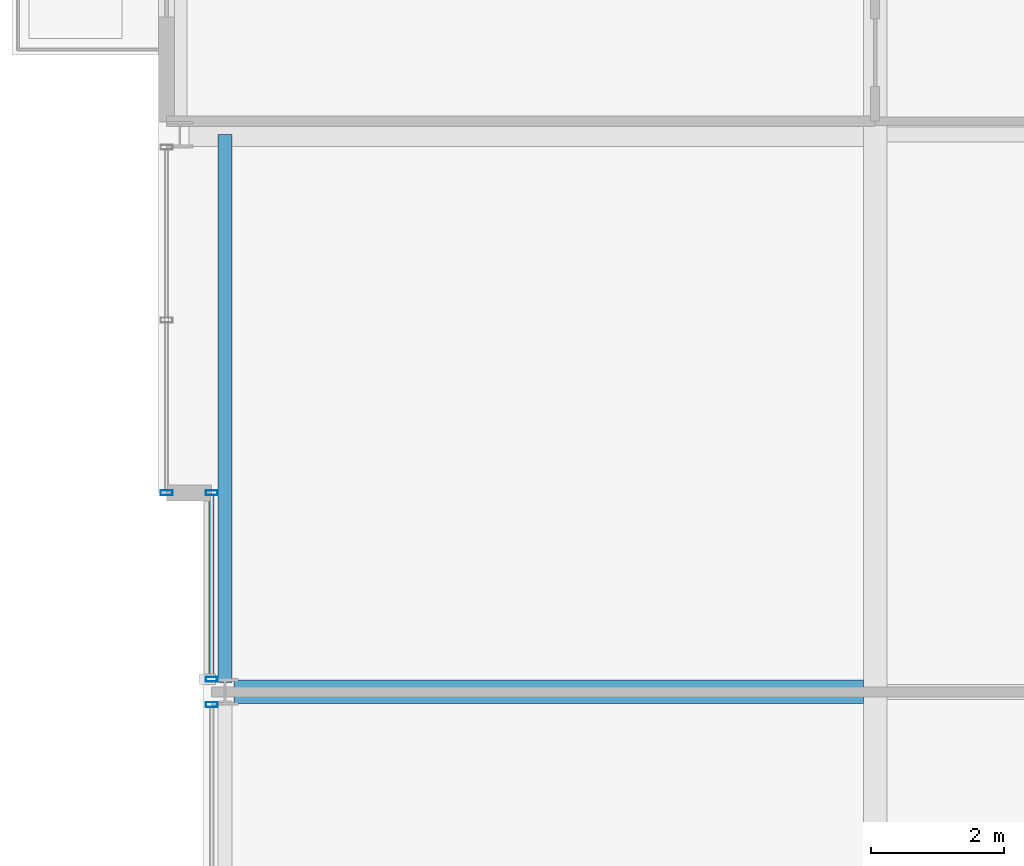
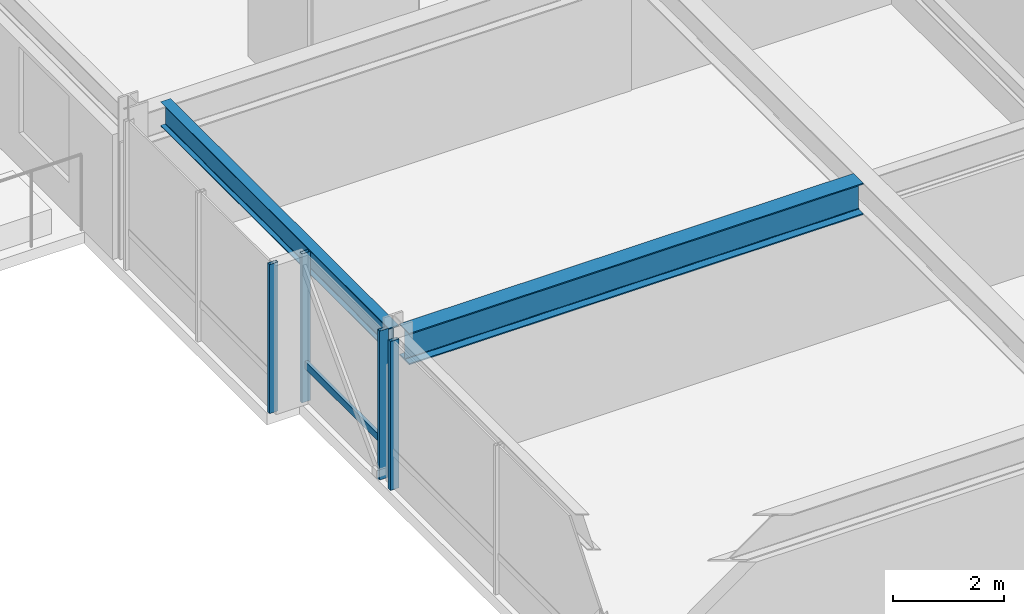
# One storey, part 9 of 32: 5 members, 2 beams, 3 elements without a shape of their own.
"""IFC4 building model written with IfcOpenShell, lengths in metres."""

from ifc_helpers import new_model, si_unit, direction, frame, origin, origin_2d, place, context, subcontext, project, spatial, hollow_rectangle, i_section, extrude, material, layer, layer_set, material_profile, profile_set, type_object, element, aggregate, save


model = new_model("IFC4")

# Units and contexts
model_context = context("Model", 3, precision=1e-05, world=origin(), true_north=direction((0.0, 1.0)))
body_context = subcontext(model_context, "Body", "Model", "MODEL_VIEW")
ifc_project = project(units=[si_unit("LENGTHUNIT", "METRE"), si_unit("AREAUNIT", "SQUARE_METRE"), si_unit("VOLUMEUNIT", "CUBIC_METRE"), si_unit("PLANEANGLEUNIT", "RADIAN"), si_unit("MASSUNIT", "GRAM", prefix="KILO")], contexts=[model_context])

# Site, building, storey
site_placement = place(None, origin())
site = spatial("IfcSite", under=ifc_project, at=site_placement, CompositionType="ELEMENT")
building_placement = place(site_placement, origin())
building = spatial("IfcBuilding", under=site, at=building_placement, Name="Drelvath Grand Hotel", CompositionType="ELEMENT")
storey_placement = place(building_placement, frame((0.0, 0.0, 189.449951171875)))
storey = spatial("IfcBuildingStorey", under=building, at=storey_placement, Name="L49", CompositionType="ELEMENT", Elevation=189.449951171875)

# Curtain wall, member
ifc_material_1 = material(Name="Brushed Pale-Silver Anodised Aluminium Frame", Category="aluminium")
ifc_layer = layer(ifc_material_1, 0.199951171875)
ifc_layer_set = layer_set([ifc_layer], Name="Brushed Pale-Silver Anodised Aluminium Frame")
curtain_wall_type = type_object("IfcCurtainWallType", Name="Stick Curtain Wall CW-04 Brushed Silver Upper-Mid", PredefinedType="NOTDEFINED", material=ifc_layer_set)
curtain_wall_1_placement = place(storey_placement, origin())
curtain_wall_1 = element("IfcCurtainWall", 1, at=curtain_wall_1_placement, inside=storey, type_object=curtain_wall_type, Name="L49 CW-04 Curtain Wall CW04-L49-WM2", PredefinedType="NOTDEFINED")
ifc_material_profile_1 = material_profile(ifc_material_1, hollow_rectangle(XDim=0.06494140625, YDim=0.159912109375, WallThickness=0.00390625, at=origin_2d()), Name="HSS160X65X4")
ifc_profile_set_1 = profile_set([ifc_material_profile_1], Name="Brushed Pale-Silver Anodised Aluminium Frame")
member_type_1 = type_object("IfcMemberType", Name="Curtain Wall Horizontal Transom CW-04 HSS160X65X4", PredefinedType="USERDEFINED", material=ifc_profile_set_1)
member_1_placement = place(storey_placement, frame((-26.199951171875, 27.231689453125, 0.822509765625), z_axis=(0.0, 1.0, 0.0), x_axis=(-1.0, 0.0, 0.0)))
member_1 = element("IfcMember", 2, at=member_1_placement, type_object=member_type_1, Name="CW04-L49-WM2 Sill Transom", ObjectType="TRANSOM", PredefinedType="USERDEFINED", context=body_context, shape_type="SweptSolid", body=[
    extrude(hollow_rectangle(XDim=0.06494140625, YDim=0.159912109375, WallThickness=0.00390625, at=origin_2d()), origin(), (0.0, 0.0, 1.0), 2.728271484375),
])

curtain_wall_2_placement = place(storey_placement, origin())
curtain_wall_2 = element("IfcCurtainWall", 3, at=curtain_wall_2_placement, inside=storey, type_object=curtain_wall_type, Name="L49 CW-04 Curtain Wall CW04-L49-WM1", PredefinedType="NOTDEFINED")
ifc_material_profile_2 = material_profile(ifc_material_1, hollow_rectangle(XDim=0.074951171875, YDim=0.179931640625, WallThickness=0.0048828125, at=origin_2d()), Name="HSS180X75X5")
ifc_profile_set_2 = profile_set([ifc_material_profile_2], Name="Brushed Pale-Silver Anodised Aluminium Frame")
member_type_2 = type_object("IfcMemberType", Name="Curtain Wall Vertical Mullion CW-04 HSS180X75X5", PredefinedType="MULLION", material=ifc_profile_set_2)
member_2_placement = place(storey_placement, frame((-26.199951171875, 26.808349609375, 0.0), z_axis=(0.0, 0.0, 1.0), x_axis=(0.0, 1.0, 0.0)))
member_2 = element("IfcMember", 4, at=member_2_placement, type_object=member_type_2, Name="CW04-L49-WM1 Mullion 3", PredefinedType="MULLION", context=body_context, shape_type="SweptSolid", body=[
    extrude(hollow_rectangle(XDim=0.074951171875, YDim=0.179931640625, WallThickness=0.0048828125, at=origin_2d()), origin(), (0.0, 0.0, 1.0), 3.2900390625),
])
aggregate(curtain_wall_2, [member_2])

# Member
member_3_placement = place(storey_placement, frame((-26.199951171875, 27.191650390625, 0.0), z_axis=(0.0, 0.0, 1.0), x_axis=(0.0, 1.0, 0.0)))
member_3 = element("IfcMember", 5, at=member_3_placement, type_object=member_type_2, Name="CW04-L49-WM2 Mullion 1", PredefinedType="MULLION", context=body_context, shape_type="SweptSolid", body=[
    extrude(hollow_rectangle(XDim=0.074951171875, YDim=0.179931640625, WallThickness=0.0048828125, at=origin_2d()), origin(), (0.0, 0.0, 1.0), 3.2900390625),
])

member_4_placement = place(storey_placement, frame((-26.199951171875, 30.0, 0.0), z_axis=(0.0, 0.0, 1.0), x_axis=(0.0, 1.0, 0.0)))
member_4 = element("IfcMember", 6, at=member_4_placement, type_object=member_type_2, Name="CW04-L49-WM2 Mullion 2", PredefinedType="MULLION", context=body_context, shape_type="SweptSolid", body=[
    extrude(hollow_rectangle(XDim=0.074951171875, YDim=0.179931640625, WallThickness=0.0048828125, at=origin_2d()), origin(), (0.0, 0.0, 1.0), 3.2900390625),
])

aggregate(curtain_wall_1, [member_3, member_4, member_1])

# Curtain wall, member
curtain_wall_3_placement = place(storey_placement, origin())
curtain_wall_3 = element("IfcCurtainWall", 7, at=curtain_wall_3_placement, inside=storey, type_object=curtain_wall_type, Name="L49 CW-04 Curtain Wall CW04-L49-WN1", PredefinedType="NOTDEFINED")
member_5_placement = place(storey_placement, frame((-26.8798828125, 30.0, 0.0), z_axis=(0.0, 0.0, 1.0), x_axis=(0.0, 1.0, 0.0)))
member_5 = element("IfcMember", 8, at=member_5_placement, type_object=member_type_2, Name="CW04-L49-WN1 Mullion 1", PredefinedType="MULLION", context=body_context, shape_type="SweptSolid", body=[
    extrude(hollow_rectangle(XDim=0.074951171875, YDim=0.179931640625, WallThickness=0.0048828125, at=origin_2d()), origin(), (0.0, 0.0, 1.0), 3.2900390625),
])
aggregate(curtain_wall_3, [member_5])

# Beams
ifc_material_2 = material(Name="Steel ASTM A992 Gr 50", Category="steel")
ifc_material_profile_3 = material_profile(ifc_material_2, i_section(OverallWidth=0.210205078125, OverallDepth=0.53662109375, WebThickness=0.010986328125, FlangeThickness=0.017333984375, FilletRadius=0.01806640625, at=origin_2d()), Name="W21X68")
ifc_profile_set_3 = profile_set([ifc_material_profile_3], Name="Steel ASTM A992 Gr 50")
beam_type_1 = type_object("IfcBeamType", Name="Perimeter Spandrel Beam W21X68", PredefinedType="SPANDREL", material=ifc_profile_set_3)
beam_1_placement = place(storey_placement, frame((-26.0, 27.139892578125, 3.021728515625), z_axis=(0.0, 1.0, 0.0), x_axis=(-1.0, 0.0, 0.0)))
element("IfcBeam", 9, at=beam_1_placement, inside=storey, type_object=beam_type_1, Name="L49 Spandrel West Mid N", PredefinedType="SPANDREL", context=body_context, shape_type="SweptSolid", body=[
    extrude(i_section(OverallWidth=0.210205078125, OverallDepth=0.53662109375, WebThickness=0.010986328125, FlangeThickness=0.017333984375, FilletRadius=0.01806640625, at=origin_2d()), origin(), (0.0, 0.0, 1.0), 8.260009765625),
])
ifc_material_profile_4 = material_profile(ifc_material_2, i_section(OverallWidth=0.354736328125, OverallDepth=0.695556640625, WebThickness=0.015380859375, FlangeThickness=0.025146484375, FilletRadius=0.02392578125, at=origin_2d()), Name="W27X146")
ifc_profile_set_4 = profile_set([ifc_material_profile_4], Name="Steel ASTM A992 Gr 50")
beam_type_2 = type_object("IfcBeamType", Name="Primary Floor Girder W27X146", PredefinedType="BEAM", material=ifc_profile_set_4)
beam_2_placement = place(storey_placement, frame((-25.860107421875, 27.0, 2.9423828125), z_axis=(1.0, 0.0, 0.0), x_axis=(0.0, 1.0, 0.0)))
element("IfcBeam", 10, at=beam_2_placement, inside=storey, type_object=beam_type_2, Name="L49 West Wing Girder E", PredefinedType="BEAM", context=body_context, shape_type="SweptSolid", body=[
    extrude(i_section(OverallWidth=0.354736328125, OverallDepth=0.695556640625, WebThickness=0.015380859375, FlangeThickness=0.025146484375, FilletRadius=0.02392578125, at=origin_2d()), origin(), (0.0, 0.0, 1.0), 9.482666015625),
])

save(model, "model.ifc")
